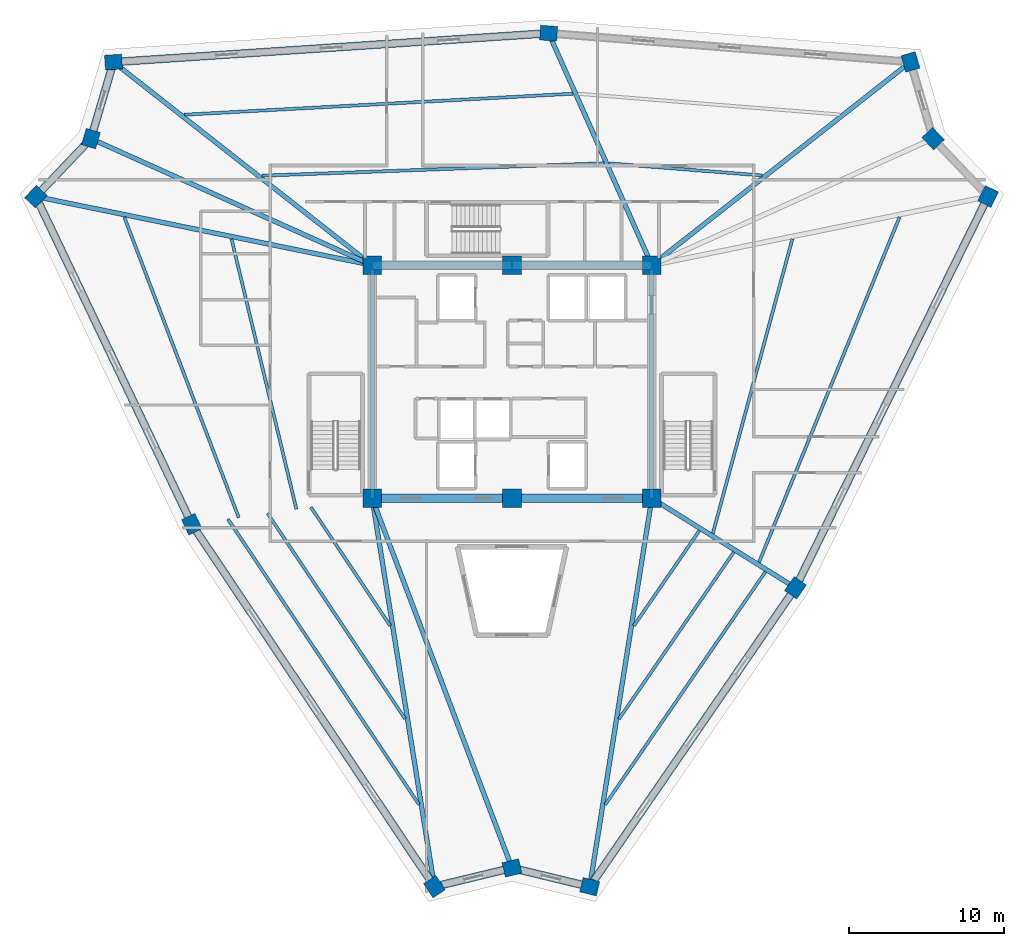
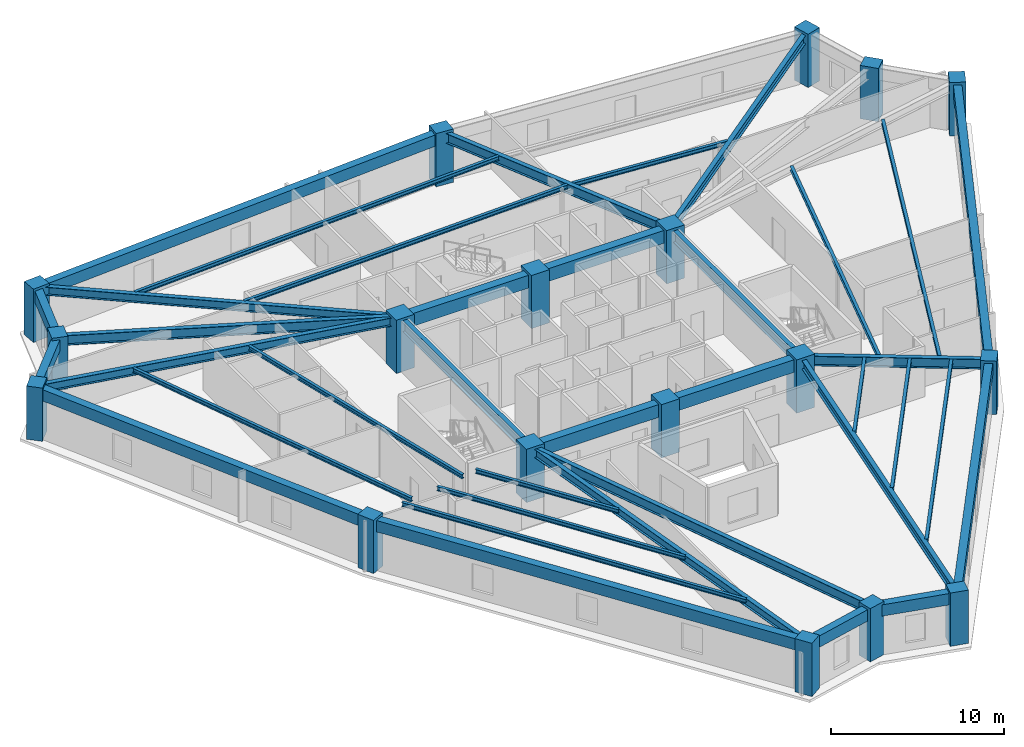
# One storey, part 1 of 8: 37 beams, 18 columns.
"""IFC4 building model written with IfcOpenShell, lengths in metres."""

from ifc_helpers import new_model, si_unit, direction, frame, origin, origin_2d, place, context, subcontext, project, spatial, rectangle, i_section, extrude, source, transform, mapped, material, material_profile, profile_set, type_object, element, save


model = new_model("IFC4")

# Units and contexts
model_context = context("Model", 3, precision=1e-05, world=origin(), true_north=direction((0.0, 1.0)))
body_context = subcontext(model_context, "Body", "Model", "MODEL_VIEW")
ifc_project = project(units=[si_unit("LENGTHUNIT", "METRE"), si_unit("AREAUNIT", "SQUARE_METRE"), si_unit("VOLUMEUNIT", "CUBIC_METRE"), si_unit("PLANEANGLEUNIT", "RADIAN"), si_unit("MASSUNIT", "GRAM", prefix="KILO")], contexts=[model_context])

# Site, building, storey
site_placement = place(None, origin())
site = spatial("IfcSite", under=ifc_project, at=site_placement, CompositionType="ELEMENT")
building_placement = place(site_placement, origin())
building = spatial("IfcBuilding", under=site, at=building_placement, Name="Liaohun Quay Tower", CompositionType="ELEMENT")
storey_placement = place(building_placement, frame((0.0, 0.0, 290.25)))
storey = spatial("IfcBuildingStorey", under=building, at=storey_placement, Name="L75", CompositionType="ELEMENT", Elevation=290.25)

# Columns
ifc_material_1 = material(Name="Concrete C50", Category="concrete")
ifc_material_profile_1 = material_profile(ifc_material_1, rectangle(XDim=1.199951171875, YDim=1.199951171875, at=origin_2d()), Name="RC1200x1200")
ifc_profile_set_1 = profile_set([ifc_material_profile_1], Name="Concrete C50")
column_type_1 = type_object("IfcColumnType", Name="COL-CC-Z4", PredefinedType="COLUMN", material=ifc_profile_set_1)
shared_shape_1 = source(origin(), body_context, "Body", "SweptSolid", [
    extrude(rectangle(XDim=1.199951171875, YDim=1.199951171875, at=origin_2d()), origin(), (0.0, 0.0, 1.0), 3.75),
])
for number, where, z_axis, x_axis, name in (
    (1, (51.0, 46.5, 0.0), (0.0, 0.0, 1.0), (1.0, 0.0, 0.0), "L75 Core Column CC1"),
    (2, (60.0, 46.5, 0.0), (0.0, 0.0, 1.0), (1.0, 0.0, 0.0), "L75 Core Column CC2"),
    (3, (69.0, 46.5, 0.0), (0.0, 0.0, 1.0), (1.0, 0.0, 0.0), "L75 Core Column CC3"),
    (4, (69.0, 61.5, 0.0), (0.0, 0.0, 1.0), (1.0, 0.0, 0.0), "L75 Core Column CC4"),
    (5, (60.0, 61.5, 0.0), (0.0, 0.0, 1.0), (1.0, 0.0, 0.0), "L75 Core Column CC5"),
    (6, (51.0, 61.5, 0.0), (0.0, 0.0, 1.0), (1.0, 0.0, 0.0), "L75 Core Column CC6"),
):
    element("IfcColumn", number, at=place(storey_placement, frame(where, z_axis=z_axis, x_axis=x_axis)), inside=storey, type_object=column_type_1, Name=name, PredefinedType="COLUMN", context=body_context, shape_type="MappedRepresentation", body=[
        mapped(shared_shape_1, transform((0.0, 0.0, 0.0), x_axis=(1.0, 0.0, 0.0), y_axis=(0.0, 1.0, 0.0), z_axis=(0.0, 0.0, 1.0), scale=1.0)),
    ])
ifc_material_profile_2 = material_profile(ifc_material_1, rectangle(XDim=1.10009765625, YDim=0.949951171875, at=origin_2d()), Name="RC1100x950")
ifc_profile_set_2 = profile_set([ifc_material_profile_2], Name="Concrete C50")
column_type_2 = type_object("IfcColumnType", Name="COL-PIER-Z4", PredefinedType="COLUMN", material=ifc_profile_set_2)
shared_shape_2 = source(origin(), body_context, "Body", "SweptSolid", [
    extrude(rectangle(XDim=1.10009765625, YDim=0.949951171875, at=origin_2d()), origin(), (0.0, 0.0, 1.0), 3.75),
])
for number, where, z_axis, x_axis, name in (
    (7, (55.008056640625, 21.507080078125, 0.0), (0.0, 0.0, 1.0), (-0.556150572878, 0.831081548518, 0.0), "L75 Perimeter Pier PC01"),
    (8, (39.39697265625, 44.8310546875, 0.0), (0.0, 0.0, 1.0), (-0.429880868547, 0.902885617815, 0.0), "L75 Perimeter Pier PC02"),
    (9, (29.35791015625, 65.9169921875, 0.0), (0.0, 0.0, 1.0), (0.68936671806, 0.724412539946, 0.0), "L75 Perimeter Pier PC03"),
    (10, (32.904052734375, 69.64404296875, 0.0), (0.0, 0.0, 1.0), (0.28284371374, 0.959166009405, 0.0), "L75 Perimeter Pier PC04"),
    (11, (34.35693359375, 74.570068359375, 0.0), (0.0, 0.0, 1.0), (0.997813020072, 0.066099750182, 0.0), "L75 Perimeter Pier PC05"),
    (12, (62.360107421875, 76.427001953125, 0.0), (0.0, 0.0, 1.0), (-0.996862316013, 0.079155056145, 0.0), "L75 Perimeter Pier PC06"),
    (13, (85.64111328125, 74.577880859375, 0.0), (0.0, 0.0, 1.0), (-0.28284371374, 0.959166009405, 0.0), "L75 Perimeter Pier PC07"),
    (14, (87.095947265625, 69.64404296875, 0.0), (0.0, 0.0, 1.0), (-0.68936671806, 0.724412539946, 0.0), "L75 Perimeter Pier PC08"),
    (15, (90.636962890625, 65.923095703125, 0.0), (0.0, 0.0, 1.0), (0.441662447194, 0.897181298701, 0.0), "L75 Perimeter Pier PC09"),
    (16, (78.241943359375, 40.741943359375, 0.0), (0.0, 0.0, 1.0), (0.566981447466, 0.82373056167, 0.0), "L75 Perimeter Pier PC10"),
    (17, (65.0, 21.5048828125, 0.0), (0.0, 0.0, 1.0), (-0.972083987461, 0.234633163303, 0.0), "L75 Perimeter Pier PC11"),
    (18, (60.0, 22.7119140625, 0.0), (0.0, 0.0, 1.0), (0.972083987461, 0.234633163303, 0.0), "L75 Perimeter Pier PC12"),
):
    element("IfcColumn", number, at=place(storey_placement, frame(where, z_axis=z_axis, x_axis=x_axis)), inside=storey, type_object=column_type_2, Name=name, PredefinedType="COLUMN", context=body_context, shape_type="MappedRepresentation", body=[
        mapped(shared_shape_2, transform((0.0, 0.0, 0.0), x_axis=(1.0, 0.0, 0.0), y_axis=(0.0, 1.0, 0.0), z_axis=(0.0, 0.0, 1.0), scale=1.0)),
    ])

# Beams
ifc_material_2 = material(Name="Steel Q355D", Category="steel")
ifc_material_profile_3 = material_profile(ifc_material_2, i_section(OverallWidth=0.300048828125, OverallDepth=0.800048828125, WebThickness=0.013916015625, FlangeThickness=0.02587890625, at=origin_2d()), Name="HN800x300x14x26")
ifc_profile_set_3 = profile_set([ifc_material_profile_3], Name="Steel Q355D")
beam_type_1 = type_object("IfcBeamType", Name="BM-RAD-M1", PredefinedType="BEAM", material=ifc_profile_set_3)
shared_shape_3 = source(origin(), body_context, "Body", "SweptSolid", [
    extrude(i_section(OverallWidth=0.300048828125, OverallDepth=0.800048828125, WebThickness=0.013916015625, FlangeThickness=0.02587890625, at=origin_2d()), origin(), (0.0, 0.0, 1.0), 15.0),
])
for number, where, z_axis, x_axis, name in (
    (19, (69.0, 46.5, 3.169921875), (0.0, 1.0, 0.0), (-1.0, 0.0, 0.0), "L75 Core Coupling/Ring Beam CC3-CC4"),
    (20, (51.0, 61.5, 3.169921875), (0.0, -1.0, 0.0), (1.0, 0.0, 0.0), "L75 Core Coupling/Ring Beam CC6-CC1"),
):
    element("IfcBeam", number, at=place(storey_placement, frame(where, z_axis=z_axis, x_axis=x_axis)), inside=storey, type_object=beam_type_1, Name=name, PredefinedType="BEAM", context=body_context, shape_type="MappedRepresentation", body=[
        mapped(shared_shape_3, transform((0.0, 0.0, 0.0), x_axis=(1.0, 0.0, 0.0), y_axis=(0.0, 1.0, 0.0), z_axis=(0.0, 0.0, 1.0), scale=1.0)),
    ])
ifc_material_3 = material(Name="Concrete C55", Category="concrete")
ifc_material_profile_4 = material_profile(ifc_material_3, rectangle(XDim=0.550048828125, YDim=0.89990234375, at=origin_2d()), Name="RC550x900")
ifc_profile_set_4 = profile_set([ifc_material_profile_4], Name="Concrete C55")
beam_type_2 = type_object("IfcBeamType", Name="BM-CPL-2", PredefinedType="LINTEL", material=ifc_profile_set_4)
shared_shape_4 = source(origin(), body_context, "Body", "SweptSolid", [
    extrude(rectangle(XDim=0.550048828125, YDim=0.89990234375, at=origin_2d()), origin(), (0.0, 0.0, 1.0), 9.0),
])
for number, where, z_axis, x_axis, name in (
    (21, (51.0, 46.5, 3.1201171875), (1.0, 0.0, 0.0), (0.0, 1.0, 0.0), "L75 Core Coupling/Ring Beam CC1-CC2"),
    (22, (60.0, 46.5, 3.1201171875), (1.0, 0.0, 0.0), (0.0, 1.0, 0.0), "L75 Core Coupling/Ring Beam CC2-CC3"),
    (23, (69.0, 61.5, 3.1201171875), (-1.0, 0.0, 0.0), (0.0, -1.0, 0.0), "L75 Core Coupling/Ring Beam CC4-CC5"),
    (24, (60.0, 61.5, 3.1201171875), (-1.0, 0.0, 0.0), (0.0, -1.0, 0.0), "L75 Core Coupling/Ring Beam CC5-CC6"),
):
    element("IfcBeam", number, at=place(storey_placement, frame(where, z_axis=z_axis, x_axis=x_axis)), inside=storey, type_object=beam_type_2, Name=name, PredefinedType="LINTEL", context=body_context, shape_type="MappedRepresentation", body=[
        mapped(shared_shape_4, transform((0.0, 0.0, 0.0), x_axis=(1.0, 0.0, 0.0), y_axis=(0.0, 1.0, 0.0), z_axis=(0.0, 0.0, 1.0), scale=1.0)),
    ])
ifc_material_profile_5 = material_profile(ifc_material_2, i_section(OverallWidth=0.300048828125, OverallDepth=0.587890625, WebThickness=0.011962890625, FlangeThickness=0.02001953125, at=origin_2d()), Name="HM588x300x12x20")
ifc_profile_set_5 = profile_set([ifc_material_profile_5], Name="Steel Q355D")
beam_type_3 = type_object("IfcBeamType", Name="BM-RAD-U2", PredefinedType="BEAM", material=ifc_profile_set_5)
shared_shape_5 = source(origin(), body_context, "Body", "SweptSolid", [
    extrude(i_section(OverallWidth=0.300048828125, OverallDepth=0.587890625, WebThickness=0.011962890625, FlangeThickness=0.02001953125, at=origin_2d()), origin(), (0.0, 0.0, 1.0), 25.312255859375),
])
beam_1_placement = place(storey_placement, frame((51.0, 46.5, 3.27587890625), z_axis=(0.158344472575, -0.987383931409, 0.0), x_axis=(0.987383931409, 0.158344472575, 0.0)))
element("IfcBeam", 25, at=beam_1_placement, inside=storey, type_object=beam_type_3, Name="L75 Radial Primary Girder CC1-PC01", PredefinedType="BEAM", context=body_context, shape_type="MappedRepresentation", body=[
    mapped(shared_shape_5, transform((0.0, 0.0, 0.0), x_axis=(1.0, 0.0, 0.0), y_axis=(0.0, 1.0, 0.0), z_axis=(0.0, 0.0, 1.0), scale=1.0)),
])
shared_shape_6 = source(origin(), body_context, "Body", "SweptSolid", [
    extrude(i_section(OverallWidth=0.300048828125, OverallDepth=0.587890625, WebThickness=0.011962890625, FlangeThickness=0.02001953125, at=origin_2d()), origin(), (0.0, 0.0, 1.0), 22.088134765625),
])
beam_2_placement = place(storey_placement, frame((51.0, 61.5, 3.27587890625), z_axis=(-0.979801937403, 0.199970406465, 0.0), x_axis=(-0.199970406465, -0.979801937403, 0.0)))
element("IfcBeam", 26, at=beam_2_placement, inside=storey, type_object=beam_type_3, Name="L75 Radial Primary Girder CC6-PC03", PredefinedType="BEAM", context=body_context, shape_type="MappedRepresentation", body=[
    mapped(shared_shape_6, transform((0.0, 0.0, 0.0), x_axis=(1.0, 0.0, 0.0), y_axis=(0.0, 1.0, 0.0), z_axis=(0.0, 0.0, 1.0), scale=1.0)),
])
ifc_material_profile_6 = material_profile(ifc_material_2, i_section(OverallWidth=0.300048828125, OverallDepth=0.699951171875, WebThickness=0.012939453125, FlangeThickness=0.02392578125, at=origin_2d()), Name="HN700x300x13x24")
ifc_profile_set_6 = profile_set([ifc_material_profile_6], Name="Steel Q355D")
beam_type_4 = type_object("IfcBeamType", Name="BM-RAD-U1", PredefinedType="BEAM", material=ifc_profile_set_6)
shared_shape_7 = source(origin(), body_context, "Body", "SweptSolid", [
    extrude(i_section(OverallWidth=0.300048828125, OverallDepth=0.699951171875, WebThickness=0.012939453125, FlangeThickness=0.02392578125, at=origin_2d()), origin(), (0.0, 0.0, 1.0), 19.843994140625),
])
beam_3_placement = place(storey_placement, frame((51.0, 61.5, 3.219970703125), z_axis=(-0.911905160232, 0.410400997491, 0.0), x_axis=(-0.410400997491, -0.911905160232, 0.0)))
element("IfcBeam", 27, at=beam_3_placement, inside=storey, type_object=beam_type_4, Name="L75 Radial Primary Girder CC6-PC04", PredefinedType="BEAM", context=body_context, shape_type="MappedRepresentation", body=[
    mapped(shared_shape_7, transform((0.0, 0.0, 0.0), x_axis=(1.0, 0.0, 0.0), y_axis=(0.0, 1.0, 0.0), z_axis=(0.0, 0.0, 1.0), scale=1.0)),
])
shared_shape_8 = source(origin(), body_context, "Body", "SweptSolid", [
    extrude(i_section(OverallWidth=0.300048828125, OverallDepth=0.587890625, WebThickness=0.011962890625, FlangeThickness=0.02001953125, at=origin_2d()), origin(), (0.0, 0.0, 1.0), 21.16162109375),
])
beam_4_placement = place(storey_placement, frame((51.0, 61.5, 3.27587890625), z_axis=(-0.786470441926, 0.617627917097, 0.0), x_axis=(-0.617627917097, -0.786470441926, 0.0)))
element("IfcBeam", 28, at=beam_4_placement, inside=storey, type_object=beam_type_3, Name="L75 Radial Primary Girder CC6-PC05", PredefinedType="BEAM", context=body_context, shape_type="MappedRepresentation", body=[
    mapped(shared_shape_8, transform((0.0, 0.0, 0.0), x_axis=(1.0, 0.0, 0.0), y_axis=(0.0, 1.0, 0.0), z_axis=(0.0, 0.0, 1.0), scale=1.0)),
])
shared_shape_9 = source(origin(), body_context, "Body", "SweptSolid", [
    extrude(i_section(OverallWidth=0.300048828125, OverallDepth=0.699951171875, WebThickness=0.012939453125, FlangeThickness=0.02392578125, at=origin_2d()), origin(), (0.0, 0.0, 1.0), 16.337158203125),
])
beam_5_placement = place(storey_placement, frame((69.0, 61.5, 3.219970703125), z_axis=(-0.406428233319, 0.913682708144, 0.0), x_axis=(-0.913682708144, -0.406428233319, 0.0)))
element("IfcBeam", 29, at=beam_5_placement, inside=storey, type_object=beam_type_4, Name="L75 Radial Primary Girder CC4-PC06", PredefinedType="BEAM", context=body_context, shape_type="MappedRepresentation", body=[
    mapped(shared_shape_9, transform((0.0, 0.0, 0.0), x_axis=(1.0, 0.0, 0.0), y_axis=(0.0, 1.0, 0.0), z_axis=(0.0, 0.0, 1.0), scale=1.0)),
])
shared_shape_10 = source(origin(), body_context, "Body", "SweptSolid", [
    extrude(i_section(OverallWidth=0.300048828125, OverallDepth=0.587890625, WebThickness=0.011962890625, FlangeThickness=0.02001953125, at=origin_2d()), origin(), (0.0, 0.0, 1.0), 21.1650390625),
])
beam_6_placement = place(storey_placement, frame((69.0, 61.5, 3.27587890625), z_axis=(0.786255892403, 0.617901020926, 0.0), x_axis=(-0.617901020926, 0.786255892403, 0.0)))
element("IfcBeam", 30, at=beam_6_placement, inside=storey, type_object=beam_type_3, Name="L75 Radial Primary Girder CC4-PC07", PredefinedType="BEAM", context=body_context, shape_type="MappedRepresentation", body=[
    mapped(shared_shape_10, transform((0.0, 0.0, 0.0), x_axis=(1.0, 0.0, 0.0), y_axis=(0.0, 1.0, 0.0), z_axis=(0.0, 0.0, 1.0), scale=1.0)),
])
shared_shape_11 = source(origin(), body_context, "Body", "SweptSolid", [
    extrude(i_section(OverallWidth=0.300048828125, OverallDepth=0.699951171875, WebThickness=0.012939453125, FlangeThickness=0.02392578125, at=origin_2d()), origin(), (0.0, 0.0, 1.0), 10.888916015625),
])
beam_7_placement = place(storey_placement, frame((69.0, 46.5, 3.219970703125), z_axis=(0.848746922137, -0.528799264525, 0.0), x_axis=(0.528799264525, 0.848746922137, 0.0)))
element("IfcBeam", 31, at=beam_7_placement, inside=storey, type_object=beam_type_4, Name="L75 Radial Primary Girder CC3-PC10", PredefinedType="BEAM", context=body_context, shape_type="MappedRepresentation", body=[
    mapped(shared_shape_11, transform((0.0, 0.0, 0.0), x_axis=(1.0, 0.0, 0.0), y_axis=(0.0, 1.0, 0.0), z_axis=(0.0, 0.0, 1.0), scale=1.0)),
])
shared_shape_12 = source(origin(), body_context, "Body", "SweptSolid", [
    extrude(i_section(OverallWidth=0.300048828125, OverallDepth=0.587890625, WebThickness=0.011962890625, FlangeThickness=0.02001953125, at=origin_2d()), origin(), (0.0, 0.0, 1.0), 25.313232421875),
])
beam_8_placement = place(storey_placement, frame((69.0, 46.5, 3.27587890625), z_axis=(-0.158020594049, -0.987435816576, 0.0), x_axis=(0.987435816576, -0.158020594049, 0.0)))
element("IfcBeam", 32, at=beam_8_placement, inside=storey, type_object=beam_type_3, Name="L75 Radial Primary Girder CC3-PC11", PredefinedType="BEAM", context=body_context, shape_type="MappedRepresentation", body=[
    mapped(shared_shape_12, transform((0.0, 0.0, 0.0), x_axis=(1.0, 0.0, 0.0), y_axis=(0.0, 1.0, 0.0), z_axis=(0.0, 0.0, 1.0), scale=1.0)),
])
shared_shape_13 = source(origin(), body_context, "Body", "SweptSolid", [
    extrude(i_section(OverallWidth=0.300048828125, OverallDepth=0.699951171875, WebThickness=0.012939453125, FlangeThickness=0.02392578125, at=origin_2d()), origin(), (0.0, 0.0, 1.0), 25.43359375),
])
beam_9_placement = place(storey_placement, frame((51.0, 46.5, 3.219970703125), z_axis=(0.353861232896, -0.935297935341, 0.0), x_axis=(0.935297935341, 0.353861232896, 0.0)))
element("IfcBeam", 33, at=beam_9_placement, inside=storey, type_object=beam_type_4, Name="L75 Radial Primary Girder CC1-PC12", PredefinedType="BEAM", context=body_context, shape_type="MappedRepresentation", body=[
    mapped(shared_shape_13, transform((0.0, 0.0, 0.0), x_axis=(1.0, 0.0, 0.0), y_axis=(0.0, 1.0, 0.0), z_axis=(0.0, 0.0, 1.0), scale=1.0)),
])
ifc_material_profile_7 = material_profile(ifc_material_2, i_section(OverallWidth=0.199951171875, OverallDepth=0.2939453125, WebThickness=0.008056640625, FlangeThickness=0.011962890625, at=origin_2d()), Name="HM294x200x8x12")
ifc_profile_set_7 = profile_set([ifc_material_profile_7], Name="Steel Q355D")
beam_type_5 = type_object("IfcBeamType", Name="BM-SEC-J4", PredefinedType="JOIST", material=ifc_profile_set_7)
shared_shape_14 = source(origin(), body_context, "Body", "SweptSolid", [
    extrude(i_section(OverallWidth=0.199951171875, OverallDepth=0.2939453125, WebThickness=0.008056640625, FlangeThickness=0.011962890625, at=origin_2d()), origin(), (0.0, 0.0, 1.0), 9.183837890625),
])
beam_10_placement = place(storey_placement, frame((52.1630859375, 38.301025390625, 3.423095703125), z_axis=(-0.556214557636, 0.83103872706, 0.0), x_axis=(-0.83103872706, -0.556214557636, 0.0)))
element("IfcBeam", 34, at=beam_10_placement, inside=storey, type_object=beam_type_5, Name="L75 Wing Secondary Floor Joist SJ-01", PredefinedType="JOIST", context=body_context, shape_type="MappedRepresentation", body=[
    mapped(shared_shape_14, transform((0.0, 0.0, 0.0), x_axis=(1.0, 0.0, 0.0), y_axis=(0.0, 1.0, 0.0), z_axis=(0.0, 0.0, 1.0), scale=1.0)),
])
shared_shape_15 = source(origin(), body_context, "Body", "SweptSolid", [
    extrude(i_section(OverallWidth=0.199951171875, OverallDepth=0.2939453125, WebThickness=0.008056640625, FlangeThickness=0.011962890625, at=origin_2d()), origin(), (0.0, 0.0, 1.0), 15.919189453125),
])
beam_11_placement = place(storey_placement, frame((53.125, 32.302978515625, 3.423095703125), z_axis=(-0.556249384541, 0.831015416342, 0.0), x_axis=(-0.831015416342, -0.556249384541, 0.0)))
element("IfcBeam", 35, at=beam_11_placement, inside=storey, type_object=beam_type_5, Name="L75 Wing Secondary Floor Joist SJ-02", PredefinedType="JOIST", context=body_context, shape_type="MappedRepresentation", body=[
    mapped(shared_shape_15, transform((0.0, 0.0, 0.0), x_axis=(1.0, 0.0, 0.0), y_axis=(0.0, 1.0, 0.0), z_axis=(0.0, 0.0, 1.0), scale=1.0)),
])
shared_shape_16 = source(origin(), body_context, "Body", "SweptSolid", [
    extrude(i_section(OverallWidth=0.199951171875, OverallDepth=0.2939453125, WebThickness=0.008056640625, FlangeThickness=0.011962890625, at=origin_2d()), origin(), (0.0, 0.0, 1.0), 22.09423828125),
])
beam_12_placement = place(storey_placement, frame((54.007080078125, 26.803955078125, 3.423095703125), z_axis=(-0.556213980293, 0.831039113476, 0.0), x_axis=(-0.831039113476, -0.556213980293, 0.0)))
element("IfcBeam", 36, at=beam_12_placement, inside=storey, type_object=beam_type_5, Name="L75 Wing Secondary Floor Joist SJ-03", PredefinedType="JOIST", context=body_context, shape_type="MappedRepresentation", body=[
    mapped(shared_shape_16, transform((0.0, 0.0, 0.0), x_axis=(1.0, 0.0, 0.0), y_axis=(0.0, 1.0, 0.0), z_axis=(0.0, 0.0, 1.0), scale=1.0)),
])
shared_shape_17 = source(origin(), body_context, "Body", "SweptSolid", [
    extrude(i_section(OverallWidth=0.199951171875, OverallDepth=0.2939453125, WebThickness=0.008056640625, FlangeThickness=0.011962890625, at=origin_2d()), origin(), (0.0, 0.0, 1.0), 17.8896484375),
])
beam_13_placement = place(storey_placement, frame((46.126953125, 45.799072265625, 3.423095703125), z_axis=(-0.233540697382, 0.9723470279, 0.0), x_axis=(-0.9723470279, -0.233540697382, 0.0)))
element("IfcBeam", 37, at=beam_13_placement, inside=storey, type_object=beam_type_5, Name="L75 Wing Secondary Floor Joist SJ-04", PredefinedType="JOIST", context=body_context, shape_type="MappedRepresentation", body=[
    mapped(shared_shape_17, transform((0.0, 0.0, 0.0), x_axis=(1.0, 0.0, 0.0), y_axis=(0.0, 1.0, 0.0), z_axis=(0.0, 0.0, 1.0), scale=1.0)),
])
shared_shape_18 = source(origin(), body_context, "Body", "SweptSolid", [
    extrude(i_section(OverallWidth=0.199951171875, OverallDepth=0.2939453125, WebThickness=0.008056640625, FlangeThickness=0.011962890625, at=origin_2d()), origin(), (0.0, 0.0, 1.0), 20.693603515625),
])
beam_14_placement = place(storey_placement, frame((42.4140625, 45.264892578125, 3.423095703125), z_axis=(-0.355955588077, 0.934502872824, 0.0), x_axis=(-0.934502872824, -0.355955588077, 0.0)))
element("IfcBeam", 38, at=beam_14_placement, inside=storey, type_object=beam_type_5, Name="L75 Wing Secondary Floor Joist SJ-05", PredefinedType="JOIST", context=body_context, shape_type="MappedRepresentation", body=[
    mapped(shared_shape_18, transform((0.0, 0.0, 0.0), x_axis=(1.0, 0.0, 0.0), y_axis=(0.0, 1.0, 0.0), z_axis=(0.0, 0.0, 1.0), scale=1.0)),
])
shared_shape_19 = source(origin(), body_context, "Body", "SweptSolid", [
    extrude(i_section(OverallWidth=0.199951171875, OverallDepth=0.2939453125, WebThickness=0.008056640625, FlangeThickness=0.011962890625, at=origin_2d()), origin(), (0.0, 0.0, 1.0), 22.022705078125),
])
beam_15_placement = place(storey_placement, frame((43.908935546875, 67.259033203125, 3.423095703125), z_axis=(0.999335062037, 0.036461401287, 0.0), x_axis=(-0.036461401287, 0.999335062037, 0.0)))
element("IfcBeam", 39, at=beam_15_placement, inside=storey, type_object=beam_type_5, Name="L75 Wing Secondary Floor Joist SJ-06", PredefinedType="JOIST", context=body_context, shape_type="MappedRepresentation", body=[
    mapped(shared_shape_19, transform((0.0, 0.0, 0.0), x_axis=(1.0, 0.0, 0.0), y_axis=(0.0, 1.0, 0.0), z_axis=(0.0, 0.0, 1.0), scale=1.0)),
])
shared_shape_20 = source(origin(), body_context, "Body", "SweptSolid", [
    extrude(i_section(OverallWidth=0.199951171875, OverallDepth=0.2939453125, WebThickness=0.008056640625, FlangeThickness=0.011962890625, at=origin_2d()), origin(), (0.0, 0.0, 1.0), 25.0517578125),
])
beam_16_placement = place(storey_placement, frame((38.910888671875, 71.18408203125, 3.423095703125), z_axis=(0.99854042723, 0.054009399072, 0.0), x_axis=(-0.054009399072, 0.99854042723, 0.0)))
element("IfcBeam", 40, at=beam_16_placement, inside=storey, type_object=beam_type_5, Name="L75 Wing Secondary Floor Joist SJ-07", PredefinedType="JOIST", context=body_context, shape_type="MappedRepresentation", body=[
    mapped(shared_shape_20, transform((0.0, 0.0, 0.0), x_axis=(1.0, 0.0, 0.0), y_axis=(0.0, 1.0, 0.0), z_axis=(0.0, 0.0, 1.0), scale=1.0)),
])
shared_shape_21 = source(origin(), body_context, "Body", "SweptSolid", [
    extrude(i_section(OverallWidth=0.199951171875, OverallDepth=0.2939453125, WebThickness=0.008056640625, FlangeThickness=0.011962890625, at=origin_2d()), origin(), (0.0, 0.0, 1.0), 9.884033203125),
])
beam_17_placement = place(storey_placement, frame((66.2490234375, 68.053955078125, 3.423095703125), z_axis=(0.996865423498, -0.07911591138, 0.0), x_axis=(0.07911591138, 0.996865423498, 0.0)))
element("IfcBeam", 41, at=beam_17_placement, inside=storey, type_object=beam_type_5, Name="L75 Wing Secondary Floor Joist SJ-08", PredefinedType="JOIST", context=body_context, shape_type="MappedRepresentation", body=[
    mapped(shared_shape_21, transform((0.0, 0.0, 0.0), x_axis=(1.0, 0.0, 0.0), y_axis=(0.0, 1.0, 0.0), z_axis=(0.0, 0.0, 1.0), scale=1.0)),
])
shared_shape_22 = source(origin(), body_context, "Body", "SweptSolid", [
    extrude(i_section(OverallWidth=0.199951171875, OverallDepth=0.2939453125, WebThickness=0.008056640625, FlangeThickness=0.011962890625, at=origin_2d()), origin(), (0.0, 0.0, 1.0), 19.642578125),
])
beam_18_placement = place(storey_placement, frame((78.0439453125, 63.196044921875, 3.423095703125), z_axis=(-0.260750302979, -0.96540627691, 0.0), x_axis=(0.96540627691, -0.260750302979, 0.0)))
element("IfcBeam", 42, at=beam_18_placement, inside=storey, type_object=beam_type_5, Name="L75 Wing Secondary Floor Joist SJ-10", PredefinedType="JOIST", context=body_context, shape_type="MappedRepresentation", body=[
    mapped(shared_shape_22, transform((0.0, 0.0, 0.0), x_axis=(1.0, 0.0, 0.0), y_axis=(0.0, 1.0, 0.0), z_axis=(0.0, 0.0, 1.0), scale=1.0)),
])
shared_shape_23 = source(origin(), body_context, "Body", "SweptSolid", [
    extrude(i_section(OverallWidth=0.199951171875, OverallDepth=0.2939453125, WebThickness=0.008056640625, FlangeThickness=0.011962890625, at=origin_2d()), origin(), (0.0, 0.0, 1.0), 23.996826171875),
])
beam_19_placement = place(storey_placement, frame((84.943115234375, 64.60595703125, 3.423095703125), z_axis=(-0.377012803368, -0.926208046875, 0.0), x_axis=(0.926208046875, -0.377012803368, 0.0)))
element("IfcBeam", 43, at=beam_19_placement, inside=storey, type_object=beam_type_5, Name="L75 Wing Secondary Floor Joist SJ-11", PredefinedType="JOIST", context=body_context, shape_type="MappedRepresentation", body=[
    mapped(shared_shape_23, transform((0.0, 0.0, 0.0), x_axis=(1.0, 0.0, 0.0), y_axis=(0.0, 1.0, 0.0), z_axis=(0.0, 0.0, 1.0), scale=1.0)),
])
shared_shape_24 = source(origin(), body_context, "Body", "SweptSolid", [
    extrude(i_section(OverallWidth=0.199951171875, OverallDepth=0.2939453125, WebThickness=0.008056640625, FlangeThickness=0.011962890625, at=origin_2d()), origin(), (0.0, 0.0, 1.0), 7.44140625),
])
beam_20_placement = place(storey_placement, frame((72.056884765625, 44.4189453125, 3.423095703125), z_axis=(-0.566957601742, -0.823746974396, 0.0), x_axis=(0.823746974396, -0.566957601742, 0.0)))
element("IfcBeam", 44, at=beam_20_placement, inside=storey, type_object=beam_type_5, Name="L75 Wing Secondary Floor Joist SJ-12", PredefinedType="JOIST", context=body_context, shape_type="MappedRepresentation", body=[
    mapped(shared_shape_24, transform((0.0, 0.0, 0.0), x_axis=(1.0, 0.0, 0.0), y_axis=(0.0, 1.0, 0.0), z_axis=(0.0, 0.0, 1.0), scale=1.0)),
])
shared_shape_25 = source(origin(), body_context, "Body", "SweptSolid", [
    extrude(i_section(OverallWidth=0.199951171875, OverallDepth=0.2939453125, WebThickness=0.008056640625, FlangeThickness=0.011962890625, at=origin_2d()), origin(), (0.0, 0.0, 1.0), 13.046630859375),
])
beam_21_placement = place(storey_placement, frame((74.27490234375, 43.037109375, 3.423095703125), z_axis=(-0.566963955692, -0.823742601148, 0.0), x_axis=(0.823742601148, -0.566963955692, 0.0)))
element("IfcBeam", 45, at=beam_21_placement, inside=storey, type_object=beam_type_5, Name="L75 Wing Secondary Floor Joist SJ-13", PredefinedType="JOIST", context=body_context, shape_type="MappedRepresentation", body=[
    mapped(shared_shape_25, transform((0.0, 0.0, 0.0), x_axis=(1.0, 0.0, 0.0), y_axis=(0.0, 1.0, 0.0), z_axis=(0.0, 0.0, 1.0), scale=1.0)),
])
shared_shape_26 = source(origin(), body_context, "Body", "SweptSolid", [
    extrude(i_section(OverallWidth=0.199951171875, OverallDepth=0.2939453125, WebThickness=0.008056640625, FlangeThickness=0.011962890625, at=origin_2d()), origin(), (0.0, 0.0, 1.0), 18.183349609375),
])
beam_22_placement = place(storey_placement, frame((76.30810546875, 41.77001953125, 3.423095703125), z_axis=(-0.567001684763, -0.823716631783, 0.0), x_axis=(0.823716631783, -0.567001684763, 0.0)))
element("IfcBeam", 46, at=beam_22_placement, inside=storey, type_object=beam_type_5, Name="L75 Wing Secondary Floor Joist SJ-14", PredefinedType="JOIST", context=body_context, shape_type="MappedRepresentation", body=[
    mapped(shared_shape_26, transform((0.0, 0.0, 0.0), x_axis=(1.0, 0.0, 0.0), y_axis=(0.0, 1.0, 0.0), z_axis=(0.0, 0.0, 1.0), scale=1.0)),
])
ifc_material_4 = material(Name="Precast concrete C50", Category="concrete")
ifc_material_profile_8 = material_profile(ifc_material_4, rectangle(XDim=0.5, YDim=0.800048828125, at=origin_2d()), Name="RC500x800")
ifc_profile_set_8 = profile_set([ifc_material_profile_8], Name="Precast concrete C50")
beam_type_6 = type_object("IfcBeamType", Name="BM-SPD-Z4", PredefinedType="SPANDREL", material=ifc_profile_set_8)
shared_shape_27 = source(origin(), body_context, "Body", "SweptSolid", [
    extrude(rectangle(XDim=0.5, YDim=0.800048828125, at=origin_2d()), origin(), (0.0, 0.0, 1.0), 28.066162109375),
])
beam_23_placement = place(storey_placement, frame((55.008056640625, 21.507080078125, 3.169921875), z_axis=(-0.556222882219, 0.831033155353, 0.0), x_axis=(-0.831033155353, -0.556222882219, 0.0)))
element("IfcBeam", 47, at=beam_23_placement, inside=storey, type_object=beam_type_6, Name="L75 Precast Spandrel Beam PC01-PC02", PredefinedType="SPANDREL", context=body_context, shape_type="MappedRepresentation", body=[
    mapped(shared_shape_27, transform((0.0, 0.0, 0.0), x_axis=(1.0, 0.0, 0.0), y_axis=(0.0, 1.0, 0.0), z_axis=(0.0, 0.0, 1.0), scale=1.0)),
])
shared_shape_28 = source(origin(), body_context, "Body", "SweptSolid", [
    extrude(rectangle(XDim=0.5, YDim=0.800048828125, at=origin_2d()), origin(), (0.0, 0.0, 1.0), 23.353759765625),
])
beam_24_placement = place(storey_placement, frame((39.39697265625, 44.8310546875, 3.169921875), z_axis=(-0.429868652378, 0.902891434062, 0.0), x_axis=(-0.902891434062, -0.429868652378, 0.0)))
element("IfcBeam", 48, at=beam_24_placement, inside=storey, type_object=beam_type_6, Name="L75 Precast Spandrel Beam PC02-PC03", PredefinedType="SPANDREL", context=body_context, shape_type="MappedRepresentation", body=[
    mapped(shared_shape_28, transform((0.0, 0.0, 0.0), x_axis=(1.0, 0.0, 0.0), y_axis=(0.0, 1.0, 0.0), z_axis=(0.0, 0.0, 1.0), scale=1.0)),
])
shared_shape_29 = source(origin(), body_context, "Body", "SweptSolid", [
    extrude(rectangle(XDim=0.5, YDim=0.800048828125, at=origin_2d()), origin(), (0.0, 0.0, 1.0), 5.14453125),
])
beam_25_placement = place(storey_placement, frame((29.35791015625, 65.9169921875, 3.169921875), z_axis=(0.689305516601, 0.724470775658, 0.0), x_axis=(-0.724470775658, 0.689305516601, 0.0)))
element("IfcBeam", 49, at=beam_25_placement, inside=storey, type_object=beam_type_6, Name="L75 Precast Spandrel Beam PC03-PC04", PredefinedType="SPANDREL", context=body_context, shape_type="MappedRepresentation", body=[
    mapped(shared_shape_29, transform((0.0, 0.0, 0.0), x_axis=(1.0, 0.0, 0.0), y_axis=(0.0, 1.0, 0.0), z_axis=(0.0, 0.0, 1.0), scale=1.0)),
])
shared_shape_30 = source(origin(), body_context, "Body", "SweptSolid", [
    extrude(rectangle(XDim=0.5, YDim=0.800048828125, at=origin_2d()), origin(), (0.0, 0.0, 1.0), 5.1357421875),
])
beam_26_placement = place(storey_placement, frame((32.904052734375, 69.64404296875, 3.169921875), z_axis=(0.282892013425, 0.959151765228, 0.0), x_axis=(-0.959151765228, 0.282892013425, 0.0)))
element("IfcBeam", 50, at=beam_26_placement, inside=storey, type_object=beam_type_6, Name="L75 Precast Spandrel Beam PC04-PC05", PredefinedType="SPANDREL", context=body_context, shape_type="MappedRepresentation", body=[
    mapped(shared_shape_30, transform((0.0, 0.0, 0.0), x_axis=(1.0, 0.0, 0.0), y_axis=(0.0, 1.0, 0.0), z_axis=(0.0, 0.0, 1.0), scale=1.0)),
])
shared_shape_31 = source(origin(), body_context, "Body", "SweptSolid", [
    extrude(rectangle(XDim=0.5, YDim=0.800048828125, at=origin_2d()), origin(), (0.0, 0.0, 1.0), 28.064697265625),
])
beam_27_placement = place(storey_placement, frame((34.35693359375, 74.570068359375, 3.169921875), z_axis=(0.997808614165, 0.066166226269, 0.0), x_axis=(-0.066166226269, 0.997808614165, 0.0)))
element("IfcBeam", 51, at=beam_27_placement, inside=storey, type_object=beam_type_6, Name="L75 Precast Spandrel Beam PC05-PC06", PredefinedType="SPANDREL", context=body_context, shape_type="MappedRepresentation", body=[
    mapped(shared_shape_31, transform((0.0, 0.0, 0.0), x_axis=(1.0, 0.0, 0.0), y_axis=(0.0, 1.0, 0.0), z_axis=(0.0, 0.0, 1.0), scale=1.0)),
])
shared_shape_32 = source(origin(), body_context, "Body", "SweptSolid", [
    extrude(rectangle(XDim=0.5, YDim=0.800048828125, at=origin_2d()), origin(), (0.0, 0.0, 1.0), 28.06640625),
])
beam_28_placement = place(storey_placement, frame((90.636962890625, 65.923095703125, 3.169921875), z_axis=(-0.441630811572, -0.897196871523, 0.0), x_axis=(0.897196871523, -0.441630811572, 0.0)))
element("IfcBeam", 52, at=beam_28_placement, inside=storey, type_object=beam_type_6, Name="L75 Precast Spandrel Beam PC09-PC10", PredefinedType="SPANDREL", context=body_context, shape_type="MappedRepresentation", body=[
    mapped(shared_shape_32, transform((0.0, 0.0, 0.0), x_axis=(1.0, 0.0, 0.0), y_axis=(0.0, 1.0, 0.0), z_axis=(0.0, 0.0, 1.0), scale=1.0)),
])
shared_shape_33 = source(origin(), body_context, "Body", "SweptSolid", [
    extrude(rectangle(XDim=0.5, YDim=0.800048828125, at=origin_2d()), origin(), (0.0, 0.0, 1.0), 23.35400390625),
])
beam_29_placement = place(storey_placement, frame((78.241943359375, 40.741943359375, 3.169921875), z_axis=(-0.567007442429, -0.823712668489, 0.0), x_axis=(0.823712668489, -0.567007442429, 0.0)))
element("IfcBeam", 53, at=beam_29_placement, inside=storey, type_object=beam_type_6, Name="L75 Precast Spandrel Beam PC10-PC11", PredefinedType="SPANDREL", context=body_context, shape_type="MappedRepresentation", body=[
    mapped(shared_shape_33, transform((0.0, 0.0, 0.0), x_axis=(1.0, 0.0, 0.0), y_axis=(0.0, 1.0, 0.0), z_axis=(0.0, 0.0, 1.0), scale=1.0)),
])
shared_shape_34 = source(origin(), body_context, "Body", "SweptSolid", [
    extrude(rectangle(XDim=0.5, YDim=0.800048828125, at=origin_2d()), origin(), (0.0, 0.0, 1.0), 5.1435546875),
])
beam_30_placement = place(storey_placement, frame((65.0, 21.5048828125, 3.169921875), z_axis=(-0.972076235178, 0.234665278648, 0.0), x_axis=(-0.234665278648, -0.972076235178, 0.0)))
element("IfcBeam", 54, at=beam_30_placement, inside=storey, type_object=beam_type_6, Name="L75 Precast Spandrel Beam PC11-PC12", PredefinedType="SPANDREL", context=body_context, shape_type="MappedRepresentation", body=[
    mapped(shared_shape_34, transform((0.0, 0.0, 0.0), x_axis=(1.0, 0.0, 0.0), y_axis=(0.0, 1.0, 0.0), z_axis=(0.0, 0.0, 1.0), scale=1.0)),
])
shared_shape_35 = source(origin(), body_context, "Body", "SweptSolid", [
    extrude(rectangle(XDim=0.5, YDim=0.800048828125, at=origin_2d()), origin(), (0.0, 0.0, 1.0), 5.13525390625),
])
beam_31_placement = place(storey_placement, frame((60.0, 22.7119140625, 3.169921875), z_axis=(-0.972087443273, -0.234618845432, 0.0), x_axis=(0.234618845432, -0.972087443273, 0.0)))
element("IfcBeam", 55, at=beam_31_placement, inside=storey, type_object=beam_type_6, Name="L75 Precast Spandrel Beam PC12-PC01", PredefinedType="SPANDREL", context=body_context, shape_type="MappedRepresentation", body=[
    mapped(shared_shape_35, transform((0.0, 0.0, 0.0), x_axis=(1.0, 0.0, 0.0), y_axis=(0.0, 1.0, 0.0), z_axis=(0.0, 0.0, 1.0), scale=1.0)),
])

save(model, "model.ifc")
